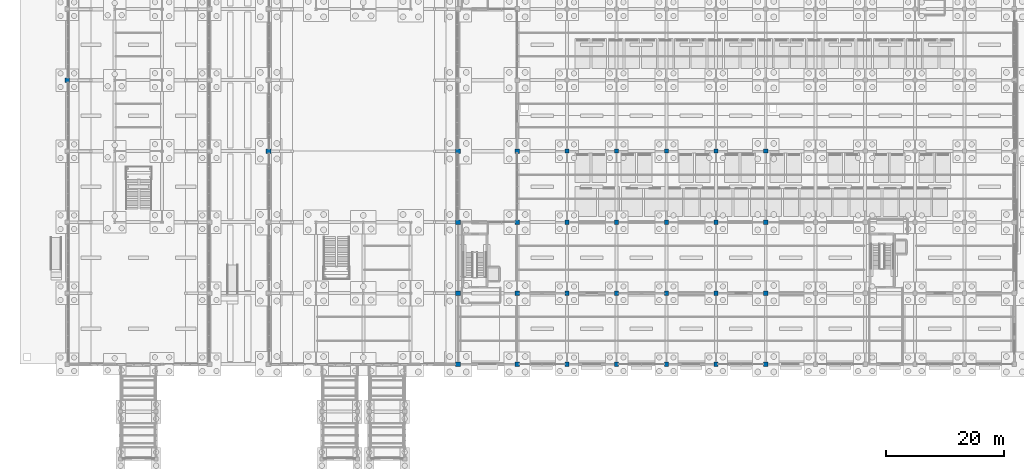
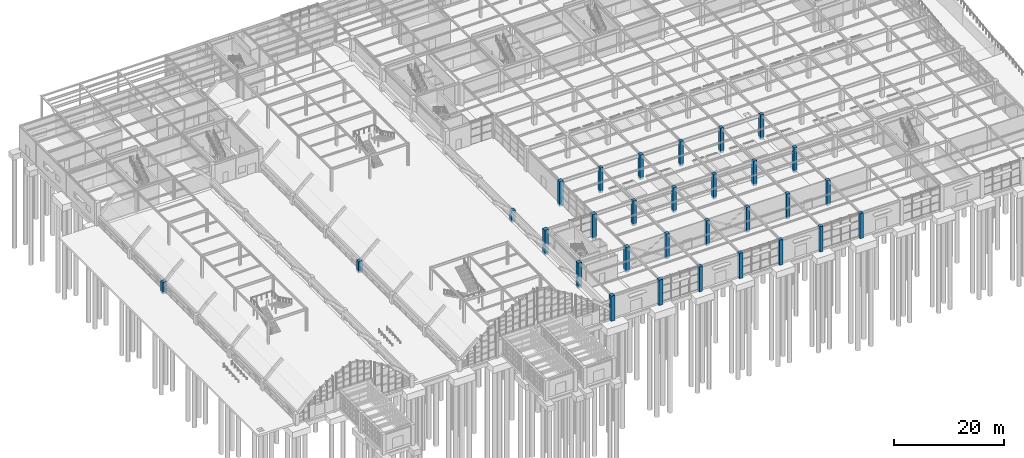
# One storey, part 17 of 129: 30 columns.
"""IFC4 building model written with IfcOpenShell, lengths in metres."""

from ifc_helpers import new_model, si_unit, direction, frame, origin, origin_2d, place, context, subcontext, project, spatial, rectangle, extrude, material, material_profile, profile_set, type_object, element, save


model = new_model("IFC4")

# Units and contexts
model_context = context("Model", 3, precision=1e-05, world=origin(), true_north=direction((0.0, 1.0)))
body_context = subcontext(model_context, "Body", "Model", "MODEL_VIEW")
ifc_project = project(units=[si_unit("LENGTHUNIT", "METRE"), si_unit("AREAUNIT", "SQUARE_METRE"), si_unit("VOLUMEUNIT", "CUBIC_METRE"), si_unit("PLANEANGLEUNIT", "RADIAN"), si_unit("MASSUNIT", "GRAM", prefix="KILO")], contexts=[model_context])

# Site, building, storey
site_placement = place(None, origin())
site = spatial("IfcSite", under=ifc_project, at=site_placement, CompositionType="ELEMENT")
building_placement = place(site_placement, origin())
building = spatial("IfcBuilding", under=site, at=building_placement, Name="Sitalva Quay Ferry Terminal", CompositionType="ELEMENT")
storey_placement = place(building_placement, origin())
storey = spatial("IfcBuildingStorey", under=building, at=storey_placement, Name="L01", CompositionType="ELEMENT", Elevation=0.0)

# Columns
ifc_material_1 = material(Name="Concrete C35/45", Category="concrete")
ifc_material_profile_1 = material_profile(ifc_material_1, rectangle(XDim=0.699951171875, YDim=0.699951171875, at=origin_2d()), Name="RC700x700")
ifc_profile_set_1 = profile_set([ifc_material_profile_1], Name="Concrete C35/45")
column_type_1 = type_object("IfcColumnType", Name="Col_RC700x700", PredefinedType="COLUMN", material=ifc_profile_set_1)
for number, where, z_axis, x_axis, name in (
    (1, (92.39990234375, 6.0, -0.449951171875), (0.0, 0.0, 1.0), (1.0, 0.0, 0.0), "L01 column 12C"),
    (2, (100.800048828125, 6.0, -0.449951171875), (0.0, 0.0, 1.0), (1.0, 0.0, 0.0), "L01 column 13C"),
    (3, (109.199951171875, 6.0, -0.449951171875), (0.0, 0.0, 1.0), (1.0, 0.0, 0.0), "L01 column 14C"),
    (4, (117.60009765625, 6.0, -0.449951171875), (0.0, 0.0, 1.0), (1.0, 0.0, 0.0), "L01 column 15C"),
    (5, (126.0, 6.0, -0.449951171875), (0.0, 0.0, 1.0), (1.0, 0.0, 0.0), "L01 column 16C"),
):
    element("IfcColumn", number, at=place(storey_placement, frame(where, z_axis=z_axis, x_axis=x_axis)), inside=storey, type_object=column_type_1, Name=name, PredefinedType="COLUMN", context=body_context, shape_type="SweptSolid", body=[
        extrude(rectangle(XDim=0.699951171875, YDim=0.699951171875, at=origin_2d()), origin(), (0.0, 0.0, 1.0), 5.570068359375),
    ])
for number, where, z_axis, x_axis, name in (
    (6, (92.39990234375, 18.0, -0.449951171875), (0.0, 0.0, 1.0), (1.0, 0.0, 0.0), "L01 column 12D"),
    (7, (100.800048828125, 18.0, -0.449951171875), (0.0, 0.0, 1.0), (1.0, 0.0, 0.0), "L01 column 13D"),
    (8, (109.199951171875, 18.0, -0.449951171875), (0.0, 0.0, 1.0), (1.0, 0.0, 0.0), "L01 column 14D"),
    (9, (117.60009765625, 18.0, -0.449951171875), (0.0, 0.0, 1.0), (1.0, 0.0, 0.0), "L01 column 15D"),
    (10, (126.0, 18.0, -0.449951171875), (0.0, 0.0, 1.0), (1.0, 0.0, 0.0), "L01 column 16D"),
    (11, (92.39990234375, 30.0, -0.449951171875), (0.0, 0.0, 1.0), (1.0, 0.0, 0.0), "L01 column 12E"),
    (12, (100.800048828125, 30.0, -0.449951171875), (0.0, 0.0, 1.0), (1.0, 0.0, 0.0), "L01 column 13E"),
    (13, (109.199951171875, 30.0, -0.449951171875), (0.0, 0.0, 1.0), (1.0, 0.0, 0.0), "L01 column 14E"),
    (14, (117.60009765625, 30.0, -0.449951171875), (0.0, 0.0, 1.0), (1.0, 0.0, 0.0), "L01 column 15E"),
    (15, (126.0, 30.0, -0.449951171875), (0.0, 0.0, 1.0), (1.0, 0.0, 0.0), "L01 column 16E"),
    (16, (92.39990234375, 42.0, -0.449951171875), (0.0, 0.0, 1.0), (1.0, 0.0, 0.0), "L01 column 12F"),
    (17, (100.800048828125, 42.0, -0.449951171875), (0.0, 0.0, 1.0), (1.0, 0.0, 0.0), "L01 column 13F"),
    (18, (109.199951171875, 42.0, -0.449951171875), (0.0, 0.0, 1.0), (1.0, 0.0, 0.0), "L01 column 14F"),
    (19, (117.60009765625, 42.0, -0.449951171875), (0.0, 0.0, 1.0), (1.0, 0.0, 0.0), "L01 column 15F"),
    (20, (126.0, 42.0, -0.449951171875), (0.0, 0.0, 1.0), (1.0, 0.0, 0.0), "L01 column 16F"),
):
    element("IfcColumn", number, at=place(storey_placement, frame(where, z_axis=z_axis, x_axis=x_axis)), inside=storey, type_object=column_type_1, Name=name, PredefinedType="COLUMN", context=body_context, shape_type="SweptSolid", body=[
        extrude(rectangle(XDim=0.699951171875, YDim=0.699951171875, at=origin_2d()), origin(), (0.0, 0.0, 1.0), 5.530029296875),
    ])
ifc_material_2 = material(Name="Concrete C40/50", Category="concrete")
ifc_material_profile_2 = material_profile(ifc_material_2, rectangle(XDim=0.800048828125, YDim=0.800048828125, at=origin_2d()), Name="RC800x800")
ifc_profile_set_2 = profile_set([ifc_material_profile_2], Name="Concrete C40/50")
column_type_2 = type_object("IfcColumnType", Name="Col_RC800x800", PredefinedType="COLUMN", material=ifc_profile_set_2)
for number, where, z_axis, x_axis, name in (
    (21, (74.0, 6.0, -0.449951171875), (0.0, 0.0, 1.0), (1.0, 0.0, 0.0), "L01 column 10C"),
    (22, (84.0, 6.0, -0.449951171875), (0.0, 0.0, 1.0), (1.0, 0.0, 0.0), "L01 column 11C"),
    (23, (74.0, 18.0, -0.449951171875), (0.0, 0.0, 1.0), (1.0, 0.0, 0.0), "L01 column 10D"),
):
    element("IfcColumn", number, at=place(storey_placement, frame(where, z_axis=z_axis, x_axis=x_axis)), inside=storey, type_object=column_type_2, Name=name, PredefinedType="COLUMN", context=body_context, shape_type="SweptSolid", body=[
        extrude(rectangle(XDim=0.800048828125, YDim=0.800048828125, at=origin_2d()), origin(), (0.0, 0.0, 1.0), 5.570068359375),
    ])
column_1_placement = place(storey_placement, frame((84.0, 18.0, -0.449951171875), z_axis=(0.0, 0.0, 1.0), x_axis=(1.0, 0.0, 0.0)))
element("IfcColumn", 24, at=column_1_placement, inside=storey, type_object=column_type_2, Name="L01 column 11D", PredefinedType="COLUMN", context=body_context, shape_type="SweptSolid", body=[
    extrude(rectangle(XDim=0.800048828125, YDim=0.800048828125, at=origin_2d()), origin(), (0.0, 0.0, 1.0), 5.530029296875),
])
column_2_placement = place(storey_placement, frame((74.0, 30.0, -0.449951171875), z_axis=(0.0, 0.0, 1.0), x_axis=(1.0, 0.0, 0.0)))
element("IfcColumn", 25, at=column_2_placement, inside=storey, type_object=column_type_2, Name="L01 column 10E", PredefinedType="COLUMN", context=body_context, shape_type="SweptSolid", body=[
    extrude(rectangle(XDim=0.800048828125, YDim=0.800048828125, at=origin_2d()), origin(), (0.0, 0.0, 1.0), 5.570068359375),
])
column_3_placement = place(storey_placement, frame((84.0, 30.0, -0.449951171875), z_axis=(0.0, 0.0, 1.0), x_axis=(1.0, 0.0, 0.0)))
element("IfcColumn", 26, at=column_3_placement, inside=storey, type_object=column_type_2, Name="L01 column 11E", PredefinedType="COLUMN", context=body_context, shape_type="SweptSolid", body=[
    extrude(rectangle(XDim=0.800048828125, YDim=0.800048828125, at=origin_2d()), origin(), (0.0, 0.0, 1.0), 5.530029296875),
])
for number, where, z_axis, x_axis, name in (
    (27, (42.0, 42.0, -0.449951171875), (0.0, 0.0, 1.0), (1.0, 0.0, 0.0), "L01 column 6F"),
    (28, (74.0, 42.0, -0.449951171875), (0.0, 0.0, 1.0), (1.0, 0.0, 0.0), "L01 column 10F"),
):
    element("IfcColumn", number, at=place(storey_placement, frame(where, z_axis=z_axis, x_axis=x_axis)), inside=storey, type_object=column_type_2, Name=name, PredefinedType="COLUMN", context=body_context, shape_type="SweptSolid", body=[
        extrude(rectangle(XDim=0.800048828125, YDim=0.800048828125, at=origin_2d()), origin(), (0.0, 0.0, 1.0), 2.550048828125),
    ])
column_4_placement = place(storey_placement, frame((84.0, 42.0, -0.449951171875), z_axis=(0.0, 0.0, 1.0), x_axis=(1.0, 0.0, 0.0)))
element("IfcColumn", 29, at=column_4_placement, inside=storey, type_object=column_type_2, Name="L01 column 11F", PredefinedType="COLUMN", context=body_context, shape_type="SweptSolid", body=[
    extrude(rectangle(XDim=0.800048828125, YDim=0.800048828125, at=origin_2d()), origin(), (0.0, 0.0, 1.0), 5.530029296875),
])
column_5_placement = place(storey_placement, frame((8.0, 54.0, -0.449951171875), z_axis=(0.0, 0.0, 1.0), x_axis=(1.0, 0.0, 0.0)))
element("IfcColumn", 30, at=column_5_placement, inside=storey, type_object=column_type_2, Name="L01 column 2G", PredefinedType="COLUMN", context=body_context, shape_type="SweptSolid", body=[
    extrude(rectangle(XDim=0.800048828125, YDim=0.800048828125, at=origin_2d()), origin(), (0.0, 0.0, 1.0), 2.550048828125),
])

save(model, "model.ifc")
